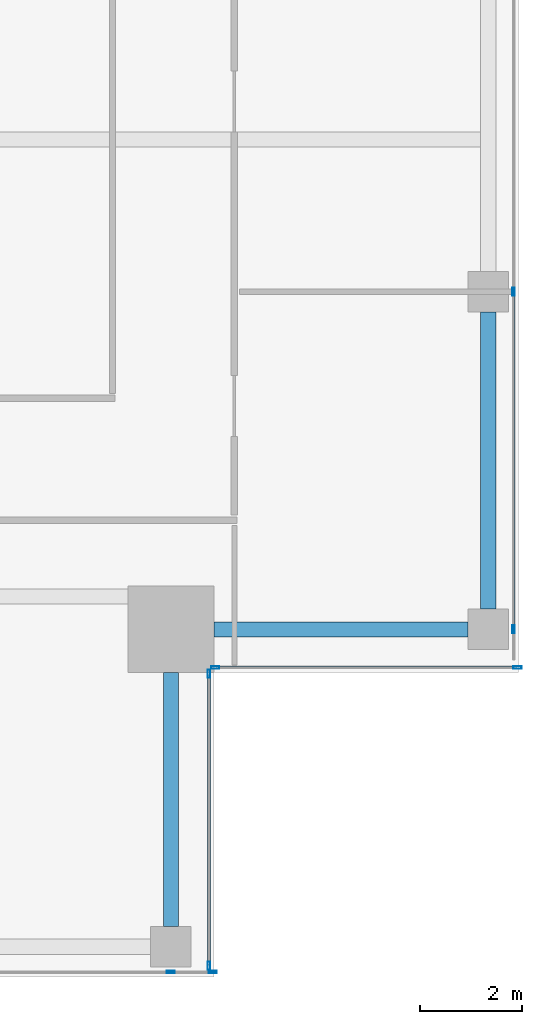
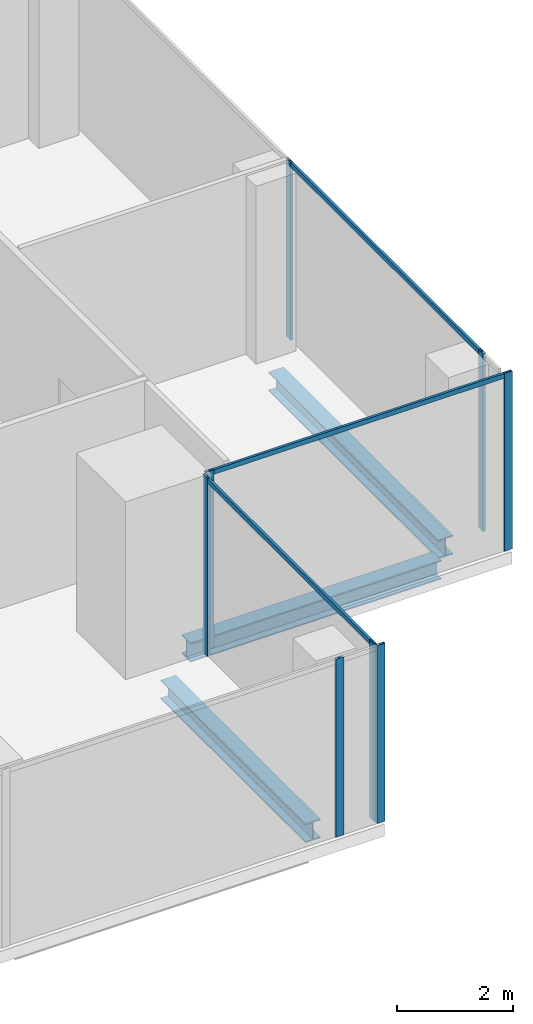
# One storey, part 9 of 29: 11 members, 3 beams, 4 elements without a shape of their own.
"""IFC4 building model written with IfcOpenShell, lengths in metres."""

from ifc_helpers import new_model, si_unit, direction, frame, origin, origin_2d, place, context, subcontext, project, spatial, hollow_rectangle, i_section, extrude, source, transform, mapped, material, material_profile, profile_set, type_object, element, aggregate, save


model = new_model("IFC4")

# Units and contexts
model_context = context("Model", 3, precision=1e-05, world=origin(), true_north=direction((0.0, 1.0)))
body_context = subcontext(model_context, "Body", "Model", "MODEL_VIEW")
ifc_project = project(units=[si_unit("LENGTHUNIT", "METRE"), si_unit("AREAUNIT", "SQUARE_METRE"), si_unit("VOLUMEUNIT", "CUBIC_METRE"), si_unit("PLANEANGLEUNIT", "RADIAN"), si_unit("MASSUNIT", "GRAM", prefix="KILO")], contexts=[model_context])

# Site, building, storey
site_placement = place(None, origin())
site = spatial("IfcSite", under=ifc_project, at=site_placement, CompositionType="ELEMENT")
building_placement = place(site_placement, origin())
building = spatial("IfcBuilding", under=site, at=building_placement, Name="Khomas Fold Tower", CompositionType="ELEMENT")
storey_placement = place(building_placement, frame((0.0, 0.0, 310.199951171875)))
storey = spatial("IfcBuildingStorey", under=building, at=storey_placement, Name="L70", CompositionType="ELEMENT", Elevation=310.199951171875)

# Beams
ifc_material_1 = material(Name="Steel S355", Category="steel")
ifc_material_profile_1 = material_profile(ifc_material_1, i_section(OverallWidth=0.300048828125, OverallDepth=0.39990234375, WebThickness=0.013427734375, FlangeThickness=0.02392578125, at=origin_2d()), Name="HE 400 B")
ifc_profile_set_1 = profile_set([ifc_material_profile_1], Name="Steel S355")
beam_type = type_object("IfcBeamType", Name="HE 400 B spandrel SB5", PredefinedType="SPANDREL", material=ifc_profile_set_1)
shared_shape_1 = source(origin(), body_context, "Body", "SweptSolid", [
    extrude(i_section(OverallWidth=0.300048828125, OverallDepth=0.39990234375, WebThickness=0.013427734375, FlangeThickness=0.02392578125, at=origin_2d()), origin(), (0.0, 0.0, 1.0), 5.85009765625),
])
beam_placement = place(storey_placement, frame((47.39990234375, 13.25, -0.449951171875), z_axis=(0.0, 1.0, 0.0), x_axis=(-1.0, 0.0, 0.0)))
element("IfcBeam", 1, at=beam_placement, inside=storey, type_object=beam_type, Name="SB5", PredefinedType="SPANDREL", context=body_context, shape_type="MappedRepresentation", body=[
    mapped(shared_shape_1, transform((0.0, 0.0, 0.0))),
])
shared_shape_2 = source(origin(), body_context, "Body", "SweptSolid", [
    extrude(i_section(OverallWidth=0.300048828125, OverallDepth=0.39990234375, WebThickness=0.013427734375, FlangeThickness=0.02392578125, at=origin_2d()), origin(), (0.0, 0.0, 1.0), 5.0),
])
for number, where, z_axis, x_axis, name in (
    (2, (41.14990234375, 7.0, -0.449951171875), (0.0, 1.0, 0.0), (-1.0, 0.0, 0.0), "SB5"),
    (3, (42.0, 12.85009765625, -0.449951171875), (1.0, 0.0, 0.0), (0.0, 1.0, 0.0), "SB5"),
):
    element("IfcBeam", number, at=place(storey_placement, frame(where, z_axis=z_axis, x_axis=x_axis)), inside=storey, type_object=beam_type, Name=name, PredefinedType="SPANDREL", context=body_context, shape_type="MappedRepresentation", body=[
        mapped(shared_shape_2, transform((0.0, 0.0, 0.0))),
    ])

# Curtain wall, members
ifc_material_2 = material(Name="Aluminium framed double glazing", Category="aluminium")
curtain_wall_type = type_object("IfcCurtainWallType", Name="SK-Unitised clear-glass wall, upper floors CW3", PredefinedType="NOTDEFINED", material=ifc_material_2)
curtain_wall_1_placement = place(storey_placement, origin())
curtain_wall_1 = element("IfcCurtainWall", 4, at=curtain_wall_1_placement, inside=storey, type_object=curtain_wall_type, Name="CW3 run L70 00-0", PredefinedType="NOTDEFINED")
ifc_material_3 = material(Name="Aluminium", Category="aluminium")
ifc_material_profile_2 = material_profile(ifc_material_3, hollow_rectangle(XDim=0.050048828125, YDim=0.159912109375, WallThickness=0.00390625, at=origin_2d()), Name="SK-Unitised clear-glass wall, upper floors mullion CW3-M")
ifc_profile_set_2 = profile_set([ifc_material_profile_2], Name="Aluminium")
member_type_1 = type_object("IfcMemberType", Name="SK-Unitised clear-glass wall, upper floors mullion CW3-M", PredefinedType="MULLION", material=ifc_profile_set_2)
shared_shape_3 = source(origin(), body_context, "Body", "SweptSolid", [
    extrude(hollow_rectangle(XDim=0.050048828125, YDim=0.159912109375, WallThickness=0.00390625, at=origin_2d()), origin(), (0.0, 0.0, 1.0), 3.75),
])
member_1_placement = place(storey_placement, frame((41.14990234375, 6.10009765625, 0.0), z_axis=(0.0, 0.0, 1.0), x_axis=(0.0, 1.0, 0.0)))
member_1 = element("IfcMember", 5, at=member_1_placement, type_object=member_type_1, Name="CW3 mullion 6", PredefinedType="MULLION", context=body_context, shape_type="MappedRepresentation", body=[
    mapped(shared_shape_3, transform((0.0, 0.0, 0.0))),
])
member_2_placement = place(storey_placement, frame((41.97509765625, 6.10009765625, 0.0), z_axis=(0.0, 0.0, 1.0), x_axis=(0.0, 1.0, 0.0)))
member_2 = element("IfcMember", 6, at=member_2_placement, type_object=member_type_1, Name="CW3 mullion 7", PredefinedType="MULLION", context=body_context, shape_type="MappedRepresentation", body=[
    mapped(shared_shape_3, transform((0.0, 0.0, 0.0))),
])
aggregate(curtain_wall_1, [member_1, member_2])

curtain_wall_2_placement = place(storey_placement, origin())
curtain_wall_2 = element("IfcCurtainWall", 7, at=curtain_wall_2_placement, inside=storey, type_object=curtain_wall_type, Name="CW3 corner return L70 01", PredefinedType="NOTDEFINED")
member_3_placement = place(storey_placement, frame((41.89990234375, 6.22509765625, 0.0), z_axis=(0.0, 0.0, 1.0), x_axis=(-1.0, 0.0, 0.0)))
member_3 = element("IfcMember", 8, at=member_3_placement, type_object=member_type_1, Name="CW3 mullion 1", PredefinedType="MULLION", context=body_context, shape_type="MappedRepresentation", body=[
    mapped(shared_shape_3, transform((0.0, 0.0, 0.0))),
])
member_4_placement = place(storey_placement, frame((41.89990234375, 11.97509765625, 0.0), z_axis=(0.0, 0.0, 1.0), x_axis=(-1.0, 0.0, 0.0)))
member_4 = element("IfcMember", 9, at=member_4_placement, type_object=member_type_1, Name="CW3 mullion 2", PredefinedType="MULLION", context=body_context, shape_type="MappedRepresentation", body=[
    mapped(shared_shape_3, transform((0.0, 0.0, 0.0))),
])

curtain_wall_3_placement = place(storey_placement, origin())
curtain_wall_3 = element("IfcCurtainWall", 10, at=curtain_wall_3_placement, inside=storey, type_object=curtain_wall_type, Name="CW3 corner return L70 02", PredefinedType="NOTDEFINED")
member_5_placement = place(storey_placement, frame((42.02490234375, 12.10009765625, 0.0), z_axis=(0.0, 0.0, 1.0), x_axis=(0.0, 1.0, 0.0)))
member_5 = element("IfcMember", 11, at=member_5_placement, type_object=member_type_1, Name="CW3 mullion 1", PredefinedType="MULLION", context=body_context, shape_type="MappedRepresentation", body=[
    mapped(shared_shape_3, transform((0.0, 0.0, 0.0))),
])
member_6_placement = place(storey_placement, frame((47.97509765625, 12.10009765625, 0.0), z_axis=(0.0, 0.0, 1.0), x_axis=(0.0, 1.0, 0.0)))
member_6 = element("IfcMember", 12, at=member_6_placement, type_object=member_type_1, Name="CW3 mullion 2", PredefinedType="MULLION", context=body_context, shape_type="MappedRepresentation", body=[
    mapped(shared_shape_3, transform((0.0, 0.0, 0.0))),
])

curtain_wall_4_placement = place(storey_placement, origin())
curtain_wall_4 = element("IfcCurtainWall", 13, at=curtain_wall_4_placement, inside=storey, type_object=curtain_wall_type, Name="CW3 run L70 03-0", PredefinedType="NOTDEFINED")
member_7_placement = place(storey_placement, frame((47.89990234375, 12.85009765625, 0.0), z_axis=(0.0, 0.0, 1.0), x_axis=(-1.0, 0.0, 0.0)))
member_7 = element("IfcMember", 14, at=member_7_placement, type_object=member_type_1, Name="CW3 mullion 2", PredefinedType="MULLION", context=body_context, shape_type="MappedRepresentation", body=[
    mapped(shared_shape_3, transform((0.0, 0.0, 0.0))),
])
member_8_placement = place(storey_placement, frame((47.89990234375, 19.5, 0.0), z_axis=(0.0, 0.0, 1.0), x_axis=(-1.0, 0.0, 0.0)))
member_8 = element("IfcMember", 15, at=member_8_placement, type_object=member_type_1, Name="CW3 mullion 3", PredefinedType="MULLION", context=body_context, shape_type="MappedRepresentation", body=[
    mapped(shared_shape_3, transform((0.0, 0.0, 0.0))),
])
ifc_material_4 = material(Name="Aluminium", Category="aluminium")
ifc_material_profile_3 = material_profile(ifc_material_4, hollow_rectangle(XDim=0.050048828125, YDim=0.10009765625, WallThickness=0.00390625, at=origin_2d()), Name="SK-Unitised clear-glass wall, upper floors transom CW3-T")
ifc_profile_set_3 = profile_set([ifc_material_profile_3], Name="Aluminium")
member_type_2 = type_object("IfcMemberType", Name="SK-Unitised clear-glass wall, upper floors transom CW3-T", PredefinedType="USERDEFINED", material=ifc_profile_set_3)
shared_shape_4 = source(origin(), body_context, "Body", "SweptSolid", [
    extrude(hollow_rectangle(XDim=0.050048828125, YDim=0.10009765625, WallThickness=0.00390625, at=origin_2d()), origin(), (0.0, 0.0, 1.0), 6.60009765625),
])
member_9_placement = place(storey_placement, frame((47.89990234375, 12.875, 3.699951171875), z_axis=(0.0, 1.0, 0.0), x_axis=(-1.0, 0.0, 0.0)))
member_9 = element("IfcMember", 16, at=member_9_placement, type_object=member_type_2, Name="CW3 transom 2", ObjectType="TRANSOM", PredefinedType="USERDEFINED", context=body_context, shape_type="MappedRepresentation", body=[
    mapped(shared_shape_4, transform((0.0, 0.0, 0.0))),
])
aggregate(curtain_wall_4, [member_7, member_8, member_9])

# Member
shared_shape_5 = source(origin(), body_context, "Body", "SweptSolid", [
    extrude(hollow_rectangle(XDim=0.050048828125, YDim=0.10009765625, WallThickness=0.00390625, at=origin_2d()), origin(), (0.0, 0.0, 1.0), 5.699951171875),
])
member_10_placement = place(storey_placement, frame((41.89990234375, 6.25, 3.699951171875), z_axis=(0.0, 1.0, 0.0), x_axis=(-1.0, 0.0, 0.0)))
member_10 = element("IfcMember", 17, at=member_10_placement, type_object=member_type_2, Name="CW3 transom 1", ObjectType="TRANSOM", PredefinedType="USERDEFINED", context=body_context, shape_type="MappedRepresentation", body=[
    mapped(shared_shape_5, transform((0.0, 0.0, 0.0))),
])

aggregate(curtain_wall_2, [member_3, member_4, member_10])

shared_shape_6 = source(origin(), body_context, "Body", "SweptSolid", [
    extrude(hollow_rectangle(XDim=0.050048828125, YDim=0.10009765625, WallThickness=0.00390625, at=origin_2d()), origin(), (0.0, 0.0, 1.0), 5.89990234375),
])
member_11_placement = place(storey_placement, frame((42.050048828125, 12.10009765625, 3.699951171875), z_axis=(1.0, 0.0, 0.0), x_axis=(0.0, 1.0, 0.0)))
member_11 = element("IfcMember", 18, at=member_11_placement, type_object=member_type_2, Name="CW3 transom 1", ObjectType="TRANSOM", PredefinedType="USERDEFINED", context=body_context, shape_type="MappedRepresentation", body=[
    mapped(shared_shape_6, transform((0.0, 0.0, 0.0))),
])

aggregate(curtain_wall_3, [member_5, member_6, member_11])

save(model, "model.ifc")
